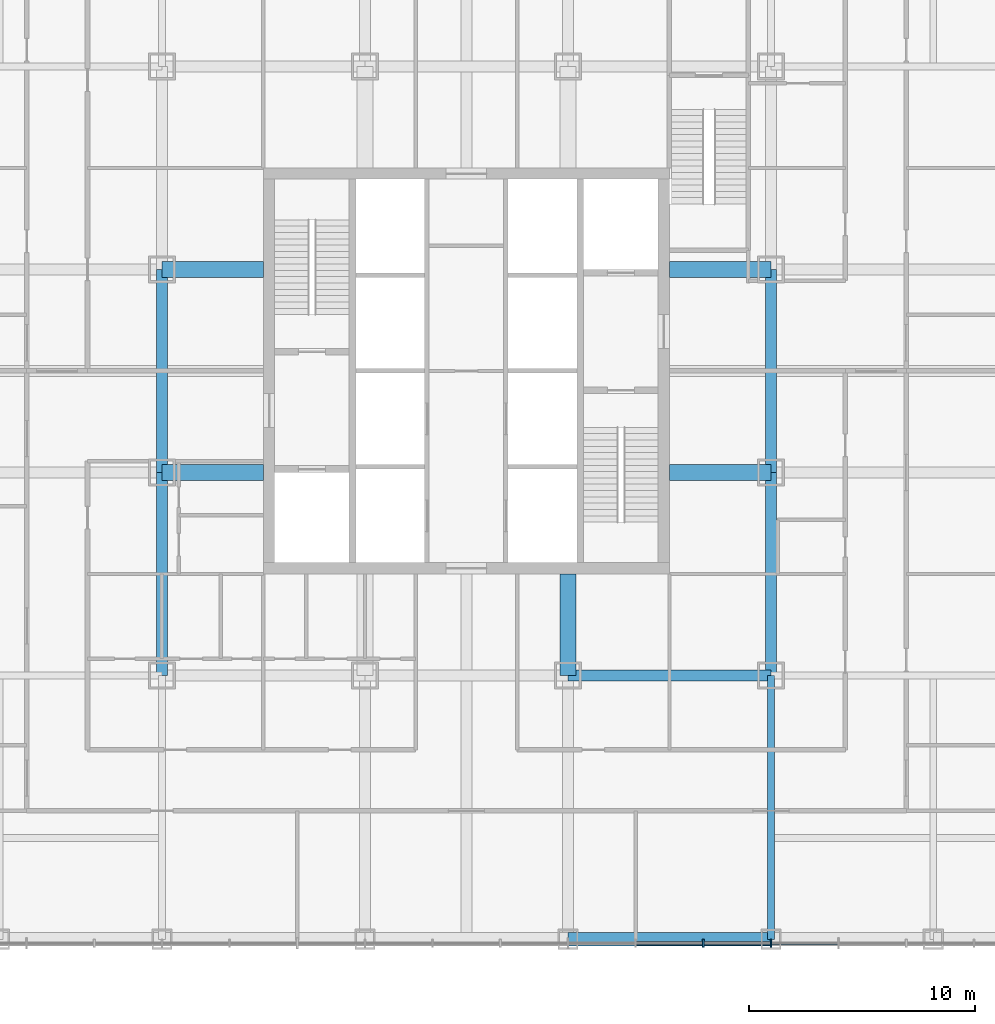
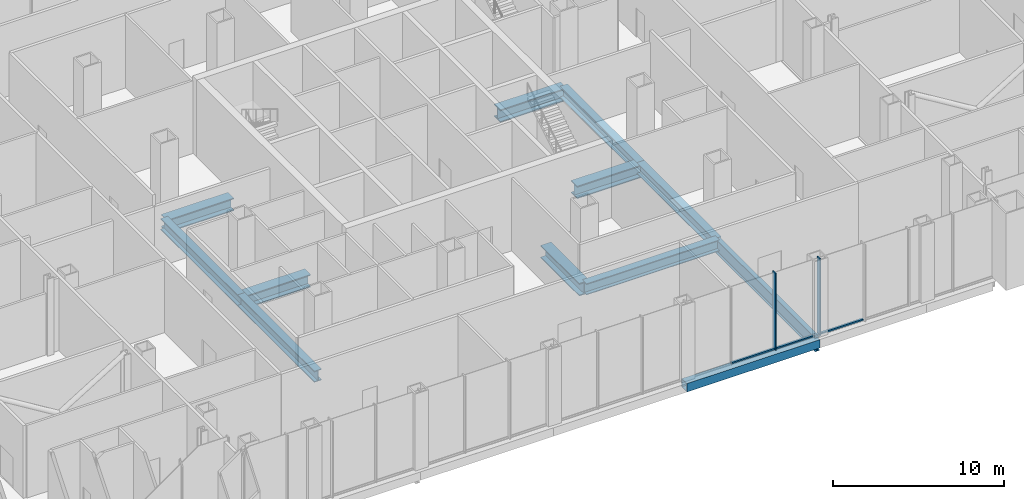
# One storey, part 4 of 25: 12 beams, 5 members, 1 element without a shape of its own.
"""IFC4 building model written with IfcOpenShell, lengths in metres."""

from ifc_helpers import new_model, si_unit, direction, frame, origin, origin_2d, place, context, subcontext, project, spatial, rectangle, hollow_rectangle, i_section, extrude, material, layer, layer_set, material_profile, profile_set, type_object, element, aggregate, save


model = new_model("IFC4")

# Units and contexts
model_context = context("Model", 3, precision=1e-05, world=origin(), true_north=direction((0.0, 1.0)))
body_context = subcontext(model_context, "Body", "Model", "MODEL_VIEW")
ifc_project = project(units=[si_unit("LENGTHUNIT", "METRE"), si_unit("AREAUNIT", "SQUARE_METRE"), si_unit("VOLUMEUNIT", "CUBIC_METRE"), si_unit("PLANEANGLEUNIT", "RADIAN"), si_unit("MASSUNIT", "GRAM", prefix="KILO")], contexts=[model_context])

# Site, building, storey
site_placement = place(None, origin())
site = spatial("IfcSite", under=ifc_project, at=site_placement, CompositionType="ELEMENT")
building_placement = place(site_placement, origin())
building = spatial("IfcBuilding", under=site, at=building_placement, Name="Malebo Sky Hospital", CompositionType="ELEMENT")
storey_placement = place(building_placement, frame((0.0, 0.0, 11.0)))
storey = spatial("IfcBuildingStorey", under=building, at=storey_placement, Name="L02", CompositionType="ELEMENT", Elevation=11.0)

# Curtain wall, members
ifc_material_1 = material(Name="Anodised aluminium, natural silver", Category="aluminium")
ifc_layer = layer(ifc_material_1, 0.25)
ifc_layer_set = layer_set([ifc_layer], Name="PODIUM ENTRANCE BAY CURTAIN WALL")
curtain_wall_type = type_object("IfcCurtainWallType", Name="PODIUM ENTRANCE BAY CURTAIN WALL", PredefinedType="NOTDEFINED", material=ifc_layer_set)
curtain_wall_placement = place(storey_placement, origin())
curtain_wall = element("IfcCurtainWall", 1, at=curtain_wall_placement, inside=storey, type_object=curtain_wall_type, Name="BAY curtain wall BS", PredefinedType="NOTDEFINED")
ifc_material_profile_1 = material_profile(ifc_material_1, rectangle(XDim=0.14990234375, YDim=0.10009765625, at=origin_2d()), Name="ALUMINIUM TRANSOM 150x100")
ifc_profile_set_1 = profile_set([ifc_material_profile_1], Name="Anodised aluminium, natural silver")
member_type_1 = type_object("IfcMemberType", Name="ALUMINIUM TRANSOM 150x100", PredefinedType="USERDEFINED", material=ifc_profile_set_1)
member_1_placement = place(storey_placement, frame((67.53759765625, 36.625, 0.050048828125), z_axis=(1.0, 0.0, 0.0), x_axis=(0.0, 1.0, 0.0)))
member_1 = element("IfcMember", 2, at=member_1_placement, type_object=member_type_1, Name="Transom 12", ObjectType="TRANSOM", PredefinedType="USERDEFINED", context=body_context, shape_type="SweptSolid", body=[
    extrude(rectangle(XDim=0.14990234375, YDim=0.10009765625, at=origin_2d()), origin(), (0.0, 0.0, 1.0), 2.9248046875),
])
member_2_placement = place(storey_placement, frame((70.53759765625, 36.625, 0.050048828125), z_axis=(1.0, 0.0, 0.0), x_axis=(0.0, 1.0, 0.0)))
member_2 = element("IfcMember", 3, at=member_2_placement, type_object=member_type_1, Name="Transom 13", ObjectType="TRANSOM", PredefinedType="USERDEFINED", context=body_context, shape_type="SweptSolid", body=[
    extrude(rectangle(XDim=0.14990234375, YDim=0.10009765625, at=origin_2d()), origin(), (0.0, 0.0, 1.0), 2.9248046875),
])
member_3_placement = place(storey_placement, frame((73.53759765625, 36.625, 0.050048828125), z_axis=(1.0, 0.0, 0.0), x_axis=(0.0, 1.0, 0.0)))
member_3 = element("IfcMember", 4, at=member_3_placement, type_object=member_type_1, Name="Transom 14", ObjectType="TRANSOM", PredefinedType="USERDEFINED", context=body_context, shape_type="SweptSolid", body=[
    extrude(rectangle(XDim=0.14990234375, YDim=0.10009765625, at=origin_2d()), origin(), (0.0, 0.0, 1.0), 2.9248046875),
])
ifc_material_profile_2 = material_profile(ifc_material_1, rectangle(XDim=0.074951171875, YDim=0.35009765625, at=origin_2d()), Name="CW4 ALUMINIUM FIN MULLION 75x350")
ifc_profile_set_2 = profile_set([ifc_material_profile_2], Name="Anodised aluminium, natural silver")
member_type_2 = type_object("IfcMemberType", Name="CW4 ALUMINIUM FIN MULLION 75x350", PredefinedType="MULLION", material=ifc_profile_set_2)
member_4_placement = place(storey_placement, frame((70.5, 36.625, 0.0), z_axis=(0.0, 0.0, 1.0), x_axis=(1.0, 0.0, 0.0)))
member_4 = element("IfcMember", 5, at=member_4_placement, type_object=member_type_2, Name="Fin mullion 13", PredefinedType="MULLION", context=body_context, shape_type="SweptSolid", body=[
    extrude(rectangle(XDim=0.074951171875, YDim=0.35009765625, at=origin_2d()), origin(), (0.0, 0.0, 1.0), 5.5),
])
member_5_placement = place(storey_placement, frame((73.5, 36.625, 0.0), z_axis=(0.0, 0.0, 1.0), x_axis=(1.0, 0.0, 0.0)))
member_5 = element("IfcMember", 6, at=member_5_placement, type_object=member_type_2, Name="Fin mullion 14", PredefinedType="MULLION", context=body_context, shape_type="SweptSolid", body=[
    extrude(rectangle(XDim=0.074951171875, YDim=0.35009765625, at=origin_2d()), origin(), (0.0, 0.0, 1.0), 5.5),
])
aggregate(curtain_wall, [member_4, member_5, member_1, member_2, member_3])

# Beams
ifc_material_2 = material(Name="Steel S460", Category="steel")
ifc_material_profile_3 = material_profile(ifc_material_2, hollow_rectangle(XDim=0.60009765625, YDim=0.60009765625, WallThickness=0.0400390625, at=origin_2d()), Name="BOX 600x600x40")
ifc_profile_set_3 = profile_set([ifc_material_profile_3], Name="Steel S460")
beam_type_1 = type_object("IfcBeamType", Name="EDGE BEAM BOX 600x600x40", PredefinedType="BEAM", material=ifc_profile_set_3)
beam_1_placement = place(storey_placement, frame((64.5, 36.800048828125, -0.60009765625), z_axis=(1.0, 0.0, 0.0), x_axis=(0.0, 1.0, 0.0)))
element("IfcBeam", 7, at=beam_1_placement, inside=storey, type_object=beam_type_1, Name="Beam 042 L02", PredefinedType="BEAM", context=body_context, shape_type="SweptSolid", body=[
    extrude(hollow_rectangle(XDim=0.60009765625, YDim=0.60009765625, WallThickness=0.0400390625, at=origin_2d()), origin(), (0.0, 0.0, 1.0), 9.0),
])
ifc_material_3 = material(Name="Steel S355", Category="steel")
ifc_material_profile_4 = material_profile(ifc_material_3, i_section(OverallWidth=0.5, OverallDepth=0.800048828125, WebThickness=0.030029296875, FlangeThickness=0.050048828125, at=origin_2d()), Name="PG 800x500x30x50")
ifc_profile_set_4 = profile_set([ifc_material_profile_4], Name="Steel S355")
beam_type_2 = type_object("IfcBeamType", Name="FLOOR BEAM PG 800x500x30x50", PredefinedType="BEAM", material=ifc_profile_set_4)
for number, where, z_axis, x_axis, name in (
    (8, (46.5, 48.5, -0.699951171875), (0.0, 1.0, 0.0), (-1.0, 0.0, 0.0), "Beam 010 L02"),
    (9, (73.5, 48.5, -0.699951171875), (0.0, 1.0, 0.0), (-1.0, 0.0, 0.0), "Beam 025 L02"),
    (10, (64.5, 48.5, -0.699951171875), (1.0, 0.0, 0.0), (0.0, 1.0, 0.0), "Beam 050 L02"),
):
    element("IfcBeam", number, at=place(storey_placement, frame(where, z_axis=z_axis, x_axis=x_axis)), inside=storey, type_object=beam_type_2, Name=name, PredefinedType="BEAM", context=body_context, shape_type="SweptSolid", body=[
        extrude(i_section(OverallWidth=0.5, OverallDepth=0.800048828125, WebThickness=0.030029296875, FlangeThickness=0.050048828125, at=origin_2d()), origin(), (0.0, 0.0, 1.0), 9.0),
    ])
ifc_material_profile_5 = material_profile(ifc_material_3, i_section(OverallWidth=0.699951171875, OverallDepth=0.89990234375, WebThickness=0.0400390625, FlangeThickness=0.070068359375, at=origin_2d()), Name="PG 900x700x40x70")
ifc_profile_set_5 = profile_set([ifc_material_profile_5], Name="Steel S355")
beam_type_3 = type_object("IfcBeamType", Name="FLOOR BEAM PG 900x700x40x70", PredefinedType="BEAM", material=ifc_profile_set_5)
for number, where, z_axis, x_axis, name in (
    (11, (64.5, 48.5, -0.75), (0.0, 1.0, 0.0), (-1.0, 0.0, 0.0), "Beam 021 L02"),
    (12, (46.5, 57.5, -0.75), (1.0, 0.0, 0.0), (0.0, 1.0, 0.0), "Beam 053 L02"),
    (13, (69.0, 57.5, -0.75), (1.0, 0.0, 0.0), (0.0, 1.0, 0.0), "Beam 054 L02"),
    (14, (46.5, 66.5, -0.75), (1.0, 0.0, 0.0), (0.0, 1.0, 0.0), "Beam 059 L02"),
    (15, (69.0, 66.5, -0.75), (1.0, 0.0, 0.0), (0.0, 1.0, 0.0), "Beam 060 L02"),
):
    element("IfcBeam", number, at=place(storey_placement, frame(where, z_axis=z_axis, x_axis=x_axis)), inside=storey, type_object=beam_type_3, Name=name, PredefinedType="BEAM", context=body_context, shape_type="SweptSolid", body=[
        extrude(i_section(OverallWidth=0.699951171875, OverallDepth=0.89990234375, WebThickness=0.0400390625, FlangeThickness=0.070068359375, at=origin_2d()), origin(), (0.0, 0.0, 1.0), 4.5),
    ])
ifc_material_profile_6 = material_profile(ifc_material_3, i_section(OverallWidth=0.300048828125, OverallDepth=1.0, WebThickness=0.01904296875, FlangeThickness=0.035888671875, FilletRadius=0.030029296875, at=origin_2d()), Name="HEB 1000")
ifc_profile_set_6 = profile_set([ifc_material_profile_6], Name="Steel S355")
beam_type_4 = type_object("IfcBeamType", Name="FLOOR GIRDER HEB 1000", PredefinedType="BEAM", material=ifc_profile_set_6)
beam_2_placement = place(storey_placement, frame((73.5, 36.800048828125, -0.800048828125), z_axis=(0.0, 1.0, 0.0), x_axis=(-1.0, 0.0, 0.0)))
element("IfcBeam", 16, at=beam_2_placement, inside=storey, type_object=beam_type_4, Name="Beam 024 L02", PredefinedType="BEAM", context=body_context, shape_type="SweptSolid", body=[
    extrude(i_section(OverallWidth=0.300048828125, OverallDepth=1.0, WebThickness=0.01904296875, FlangeThickness=0.035888671875, FilletRadius=0.030029296875, at=origin_2d()), origin(), (0.0, 0.0, 1.0), 11.699951171875),
])
ifc_material_profile_7 = material_profile(ifc_material_3, i_section(OverallWidth=0.5, OverallDepth=0.800048828125, WebThickness=0.030029296875, FlangeThickness=0.050048828125, at=origin_2d()), Name="PG 800x500x30x50")
ifc_profile_set_7 = profile_set([ifc_material_profile_7], Name="Steel S355")
beam_type_5 = type_object("IfcBeamType", Name="RING GIRDER PG 800x500x30x50", PredefinedType="BEAM", material=ifc_profile_set_7)
for number, where, z_axis, x_axis, name in (
    (17, (46.5, 57.5, -0.699951171875), (0.0, 1.0, 0.0), (-1.0, 0.0, 0.0), "Beam 011 L02"),
    (18, (73.5, 57.5, -0.699951171875), (0.0, 1.0, 0.0), (-1.0, 0.0, 0.0), "Beam 026 L02"),
):
    element("IfcBeam", number, at=place(storey_placement, frame(where, z_axis=z_axis, x_axis=x_axis)), inside=storey, type_object=beam_type_5, Name=name, PredefinedType="BEAM", context=body_context, shape_type="SweptSolid", body=[
        extrude(i_section(OverallWidth=0.5, OverallDepth=0.800048828125, WebThickness=0.030029296875, FlangeThickness=0.050048828125, at=origin_2d()), origin(), (0.0, 0.0, 1.0), 9.0),
    ])

save(model, "model.ifc")
